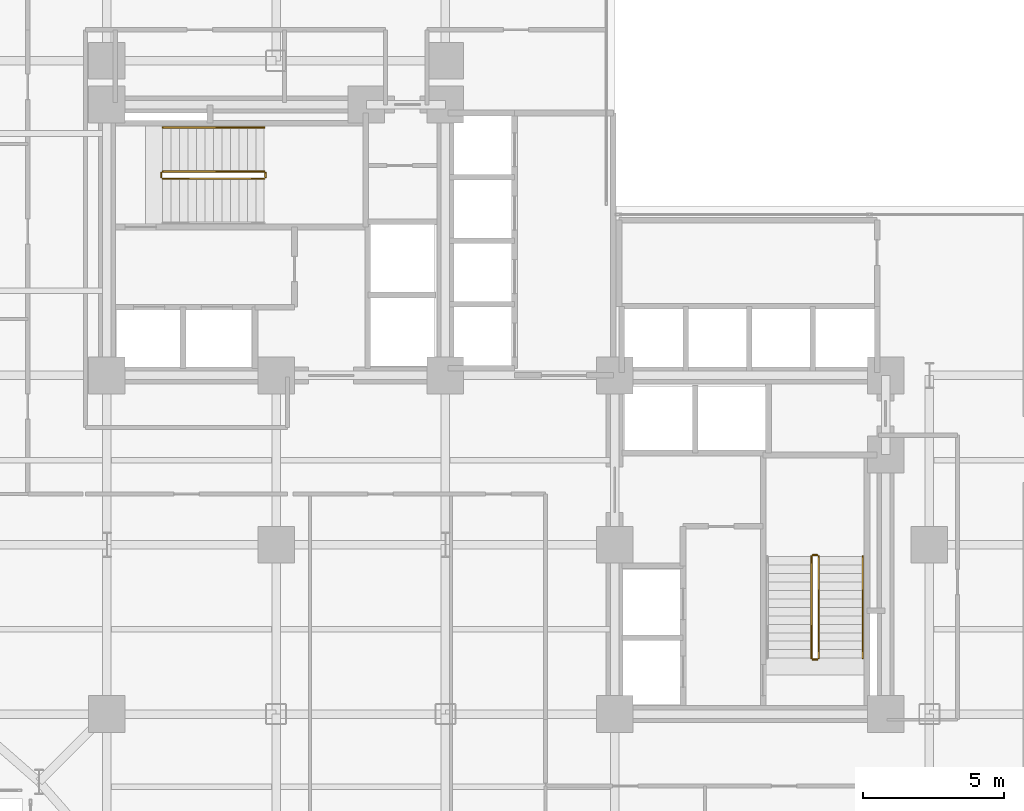
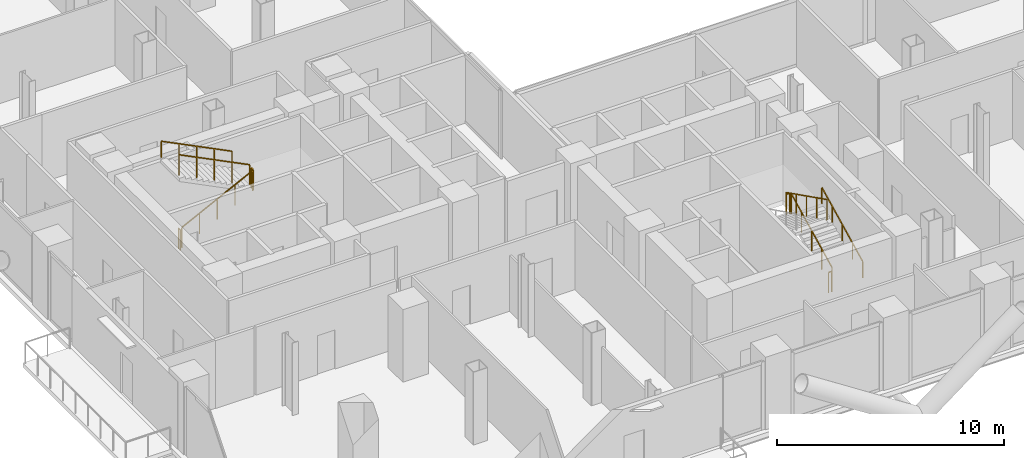
# One storey, part 25 of 25: 10 railings.
"""IFC4 building model written with IfcOpenShell, lengths in metres."""

from ifc_helpers import new_model, si_unit, direction, frame, origin, origin_2d, place, context, subcontext, project, spatial, rectangle, extrude, material, type_object, element, save


model = new_model("IFC4")

# Units and contexts
model_context = context("Model", 3, precision=1e-05, world=origin(), true_north=direction((0.0, 1.0)))
body_context = subcontext(model_context, "Body", "Model", "MODEL_VIEW")
ifc_project = project(units=[si_unit("LENGTHUNIT", "METRE"), si_unit("AREAUNIT", "SQUARE_METRE"), si_unit("VOLUMEUNIT", "CUBIC_METRE"), si_unit("PLANEANGLEUNIT", "RADIAN"), si_unit("MASSUNIT", "GRAM", prefix="KILO"), si_unit("THERMODYNAMICTEMPERATUREUNIT", "KELVIN"), si_unit("POWERUNIT", "WATT")], contexts=[model_context])

# Site, building, storey
site_placement = place(None, origin())
site = spatial("IfcSite", under=ifc_project, at=site_placement, CompositionType="ELEMENT")
building_placement = place(site_placement, origin())
building = spatial("IfcBuilding", under=site, at=building_placement, Name="Svarakhadi Broadcast Tower", CompositionType="ELEMENT")
storey_placement = place(building_placement, frame((0.0, 0.0, 32.39990234375)))
storey = spatial("IfcBuildingStorey", under=building, at=storey_placement, Name="L06", CompositionType="ELEMENT", Elevation=32.39990234375)

# Railings
ifc_material = material(Name="Anodised Bronze Aluminium AA 6063-T6", Category="aluminium")
railing_type_1 = type_object("IfcRailingType", Name="Guard_Stair_GR01", PredefinedType="GUARDRAIL", material=ifc_material)
railing_1_placement = place(storey_placement, frame((7.97998046875, 24.969970703125, 0.150146484375)))
element("IfcRailing", 1, at=railing_1_placement, inside=storey, type_object=railing_type_1, Name="L06 ST-01 stair guard 1", PredefinedType="GUARDRAIL", context=body_context, shape_type="SweptSolid", body=[
    extrude(rectangle(XDim=0.048095703125, YDim=0.048095703125, at=origin_2d()), frame((0.0, 0.0, 1.09619140625), z_axis=(0.894427191, 0.0, 0.4472135955), x_axis=(0.0, 1.0, 0.0)), (0.0, 0.0, 1.0), 4.025146484375),
    extrude(rectangle(XDim=0.0419921875, YDim=0.0419921875, at=origin_2d()), origin(), (0.0, 0.0, 1.0), 1.072021484375),
    extrude(rectangle(XDim=0.0419921875, YDim=0.0419921875, at=origin_2d()), frame((0.89990234375, 0.0, 0.449951171875)), (0.0, 0.0, 1.0), 1.072021484375),
    extrude(rectangle(XDim=0.0419921875, YDim=0.0419921875, at=origin_2d()), frame((1.800048828125, 0.0, 0.89990234375)), (0.0, 0.0, 1.0), 1.072021484375),
    extrude(rectangle(XDim=0.0419921875, YDim=0.0419921875, at=origin_2d()), frame((2.7001953125, 0.0, 1.35009765625)), (0.0, 0.0, 1.0), 1.072021484375),
    extrude(rectangle(XDim=0.0419921875, YDim=0.0419921875, at=origin_2d()), frame((3.60009765625, 0.0, 1.800048828125)), (0.0, 0.0, 1.0), 1.072021484375),
])
railing_2_placement = place(storey_placement, frame((11.6298828125, 25.02001953125, 1.9501953125)))
element("IfcRailing", 2, at=railing_2_placement, inside=storey, type_object=railing_type_1, Name="L06 ST-01 stair guard 2", PredefinedType="GUARDRAIL", context=body_context, shape_type="SweptSolid", body=[
    extrude(rectangle(XDim=0.048095703125, YDim=0.048095703125, at=origin_2d()), frame((0.0, 0.0, 1.09619140625), z_axis=(0.0, 1.0, 0.0), x_axis=(-1.0, 0.0, 0.0)), (0.0, 0.0, 1.0), 0.159912109375),
    extrude(rectangle(XDim=0.0419921875, YDim=0.0419921875, at=origin_2d()), origin(), (0.0, 0.0, 1.0), 1.072021484375),
    extrude(rectangle(XDim=0.0419921875, YDim=0.0419921875, at=origin_2d()), frame((0.0, 0.159912109375, 0.0)), (0.0, 0.0, 1.0), 1.072021484375),
])
railing_3_placement = place(storey_placement, frame((11.580078125, 25.22998046875, 2.10009765625)))
element("IfcRailing", 3, at=railing_3_placement, inside=storey, type_object=railing_type_1, Name="L06 ST-01 stair guard 3", PredefinedType="GUARDRAIL", context=body_context, shape_type="SweptSolid", body=[
    extrude(rectangle(XDim=0.048095703125, YDim=0.048095703125, at=origin_2d()), frame((0.0, 0.0, 1.09619140625), z_axis=(-0.894427191, 0.0, 0.4472135955), x_axis=(0.0, -1.0, 0.0)), (0.0, 0.0, 1.0), 4.025146484375),
    extrude(rectangle(XDim=0.0419921875, YDim=0.0419921875, at=origin_2d()), origin(), (0.0, 0.0, 1.0), 1.072021484375),
    extrude(rectangle(XDim=0.0419921875, YDim=0.0419921875, at=origin_2d()), frame((-0.89990234375, 0.0, 0.449951171875)), (0.0, 0.0, 1.0), 1.072021484375),
    extrude(rectangle(XDim=0.0419921875, YDim=0.0419921875, at=origin_2d()), frame((-1.800048828125, 0.0, 0.89990234375)), (0.0, 0.0, 1.0), 1.072021484375),
    extrude(rectangle(XDim=0.0419921875, YDim=0.0419921875, at=origin_2d()), frame((-2.7001953125, 0.0, 1.35009765625)), (0.0, 0.0, 1.0), 1.072021484375),
    extrude(rectangle(XDim=0.0419921875, YDim=0.0419921875, at=origin_2d()), frame((-3.60009765625, 0.0, 1.800048828125)), (0.0, 0.0, 1.0), 1.072021484375),
])
railing_4_placement = place(storey_placement, frame((7.929931640625, 25.02001953125, 0.0)))
element("IfcRailing", 4, at=railing_4_placement, inside=storey, type_object=railing_type_1, Name="L06 ST-01 stair guard 4", PredefinedType="GUARDRAIL", context=body_context, shape_type="SweptSolid", body=[
    extrude(rectangle(XDim=0.048095703125, YDim=0.048095703125, at=origin_2d()), frame((0.0, 0.0, 1.09619140625), z_axis=(0.0, 1.0, 0.0), x_axis=(-1.0, 0.0, 0.0)), (0.0, 0.0, 1.0), 0.159912109375),
    extrude(rectangle(XDim=0.0419921875, YDim=0.0419921875, at=origin_2d()), origin(), (0.0, 0.0, 1.0), 1.072021484375),
    extrude(rectangle(XDim=0.0419921875, YDim=0.0419921875, at=origin_2d()), frame((0.0, 0.159912109375, 0.0)), (0.0, 0.0, 1.0), 1.072021484375),
])
railing_5_placement = place(storey_placement, frame((31.22998046875, 7.97998046875, 0.150146484375)))
element("IfcRailing", 5, at=railing_5_placement, inside=storey, type_object=railing_type_1, Name="L06 ST-02 stair guard 1", PredefinedType="GUARDRAIL", context=body_context, shape_type="SweptSolid", body=[
    extrude(rectangle(XDim=0.048095703125, YDim=0.048095703125, at=origin_2d()), frame((0.0, 0.0, 1.09619140625), z_axis=(0.0, 0.894427191, 0.4472135955), x_axis=(-1.0, 0.0, 0.0)), (0.0, 0.0, 1.0), 4.025146484375),
    extrude(rectangle(XDim=0.0419921875, YDim=0.0419921875, at=origin_2d()), origin(), (0.0, 0.0, 1.0), 1.072021484375),
    extrude(rectangle(XDim=0.0419921875, YDim=0.0419921875, at=origin_2d()), frame((0.0, 0.89990234375, 0.449951171875)), (0.0, 0.0, 1.0), 1.072021484375),
    extrude(rectangle(XDim=0.0419921875, YDim=0.0419921875, at=origin_2d()), frame((0.0, 1.800048828125, 0.89990234375)), (0.0, 0.0, 1.0), 1.072021484375),
    extrude(rectangle(XDim=0.0419921875, YDim=0.0419921875, at=origin_2d()), frame((0.0, 2.7001953125, 1.35009765625)), (0.0, 0.0, 1.0), 1.072021484375),
    extrude(rectangle(XDim=0.0419921875, YDim=0.0419921875, at=origin_2d()), frame((0.0, 3.60009765625, 1.800048828125)), (0.0, 0.0, 1.0), 1.072021484375),
])
railing_6_placement = place(storey_placement, frame((31.179931640625, 11.6298828125, 1.9501953125)))
element("IfcRailing", 6, at=railing_6_placement, inside=storey, type_object=railing_type_1, Name="L06 ST-02 stair guard 2", PredefinedType="GUARDRAIL", context=body_context, shape_type="SweptSolid", body=[
    extrude(rectangle(XDim=0.048095703125, YDim=0.048095703125, at=origin_2d()), frame((0.0, 0.0, 1.09619140625), z_axis=(-1.0, 0.0, 0.0), x_axis=(0.0, -1.0, 0.0)), (0.0, 0.0, 1.0), 0.159912109375),
    extrude(rectangle(XDim=0.0419921875, YDim=0.0419921875, at=origin_2d()), origin(), (0.0, 0.0, 1.0), 1.072021484375),
    extrude(rectangle(XDim=0.0419921875, YDim=0.0419921875, at=origin_2d()), frame((-0.159912109375, 0.0, 0.0)), (0.0, 0.0, 1.0), 1.072021484375),
])
railing_7_placement = place(storey_placement, frame((30.969970703125, 11.580078125, 2.10009765625)))
element("IfcRailing", 7, at=railing_7_placement, inside=storey, type_object=railing_type_1, Name="L06 ST-02 stair guard 3", PredefinedType="GUARDRAIL", context=body_context, shape_type="SweptSolid", body=[
    extrude(rectangle(XDim=0.048095703125, YDim=0.048095703125, at=origin_2d()), frame((0.0, 0.0, 1.09619140625), z_axis=(0.0, -0.894427191, 0.4472135955), x_axis=(1.0, 0.0, 0.0)), (0.0, 0.0, 1.0), 4.025146484375),
    extrude(rectangle(XDim=0.0419921875, YDim=0.0419921875, at=origin_2d()), origin(), (0.0, 0.0, 1.0), 1.072021484375),
    extrude(rectangle(XDim=0.0419921875, YDim=0.0419921875, at=origin_2d()), frame((0.0, -0.89990234375, 0.449951171875)), (0.0, 0.0, 1.0), 1.072021484375),
    extrude(rectangle(XDim=0.0419921875, YDim=0.0419921875, at=origin_2d()), frame((0.0, -1.800048828125, 0.89990234375)), (0.0, 0.0, 1.0), 1.072021484375),
    extrude(rectangle(XDim=0.0419921875, YDim=0.0419921875, at=origin_2d()), frame((0.0, -2.7001953125, 1.35009765625)), (0.0, 0.0, 1.0), 1.072021484375),
    extrude(rectangle(XDim=0.0419921875, YDim=0.0419921875, at=origin_2d()), frame((0.0, -3.60009765625, 1.800048828125)), (0.0, 0.0, 1.0), 1.072021484375),
])
railing_8_placement = place(storey_placement, frame((31.179931640625, 7.929931640625, 0.0)))
element("IfcRailing", 8, at=railing_8_placement, inside=storey, type_object=railing_type_1, Name="L06 ST-02 stair guard 4", PredefinedType="GUARDRAIL", context=body_context, shape_type="SweptSolid", body=[
    extrude(rectangle(XDim=0.048095703125, YDim=0.048095703125, at=origin_2d()), frame((0.0, 0.0, 1.09619140625), z_axis=(-1.0, 0.0, 0.0), x_axis=(0.0, -1.0, 0.0)), (0.0, 0.0, 1.0), 0.159912109375),
    extrude(rectangle(XDim=0.0419921875, YDim=0.0419921875, at=origin_2d()), origin(), (0.0, 0.0, 1.0), 1.072021484375),
    extrude(rectangle(XDim=0.0419921875, YDim=0.0419921875, at=origin_2d()), frame((-0.159912109375, 0.0, 0.0)), (0.0, 0.0, 1.0), 1.072021484375),
])
railing_type_2 = type_object("IfcRailingType", Name="Handrail_Stair_HR01", PredefinedType="HANDRAIL", material=ifc_material)
railing_9_placement = place(storey_placement, frame((11.580078125, 26.7900390625, 2.10009765625)))
element("IfcRailing", 9, at=railing_9_placement, inside=storey, type_object=railing_type_2, Name="L06 ST-01 stair handrail 2", PredefinedType="HANDRAIL", context=body_context, shape_type="SweptSolid", body=[
    extrude(rectangle(XDim=0.048095703125, YDim=0.048095703125, at=origin_2d()), frame((0.0, 0.0, 0.8759765625), z_axis=(-0.894427191, 0.0, 0.4472135955), x_axis=(0.0, -1.0, 0.0)), (0.0, 0.0, 1.0), 4.025146484375),
    extrude(rectangle(XDim=0.0419921875, YDim=0.0419921875, at=origin_2d()), origin(), (0.0, 0.0, 1.0), 0.851806640625),
    extrude(rectangle(XDim=0.0419921875, YDim=0.0419921875, at=origin_2d()), frame((-0.89990234375, 0.0, 0.449951171875)), (0.0, 0.0, 1.0), 0.851806640625),
    extrude(rectangle(XDim=0.0419921875, YDim=0.0419921875, at=origin_2d()), frame((-1.800048828125, 0.0, 0.89990234375)), (0.0, 0.0, 1.0), 0.851806640625),
    extrude(rectangle(XDim=0.0419921875, YDim=0.0419921875, at=origin_2d()), frame((-2.7001953125, 0.0, 1.35009765625)), (0.0, 0.0, 1.0), 0.851806640625),
    extrude(rectangle(XDim=0.0419921875, YDim=0.0419921875, at=origin_2d()), frame((-3.60009765625, 0.0, 1.800048828125)), (0.0, 0.0, 1.0), 0.851806640625),
])
railing_10_placement = place(storey_placement, frame((32.7900390625, 7.97998046875, 0.150146484375)))
element("IfcRailing", 10, at=railing_10_placement, inside=storey, type_object=railing_type_2, Name="L06 ST-02 stair handrail 1", PredefinedType="HANDRAIL", context=body_context, shape_type="SweptSolid", body=[
    extrude(rectangle(XDim=0.048095703125, YDim=0.048095703125, at=origin_2d()), frame((0.0, 0.0, 0.8759765625), z_axis=(0.0, 0.894427191, 0.4472135955), x_axis=(-1.0, 0.0, 0.0)), (0.0, 0.0, 1.0), 4.025146484375),
    extrude(rectangle(XDim=0.0419921875, YDim=0.0419921875, at=origin_2d()), origin(), (0.0, 0.0, 1.0), 0.851806640625),
    extrude(rectangle(XDim=0.0419921875, YDim=0.0419921875, at=origin_2d()), frame((0.0, 0.89990234375, 0.449951171875)), (0.0, 0.0, 1.0), 0.851806640625),
    extrude(rectangle(XDim=0.0419921875, YDim=0.0419921875, at=origin_2d()), frame((0.0, 1.800048828125, 0.89990234375)), (0.0, 0.0, 1.0), 0.851806640625),
    extrude(rectangle(XDim=0.0419921875, YDim=0.0419921875, at=origin_2d()), frame((0.0, 2.7001953125, 1.35009765625)), (0.0, 0.0, 1.0), 0.851806640625),
    extrude(rectangle(XDim=0.0419921875, YDim=0.0419921875, at=origin_2d()), frame((0.0, 3.60009765625, 1.800048828125)), (0.0, 0.0, 1.0), 0.851806640625),
])

save(model, "model.ifc")
